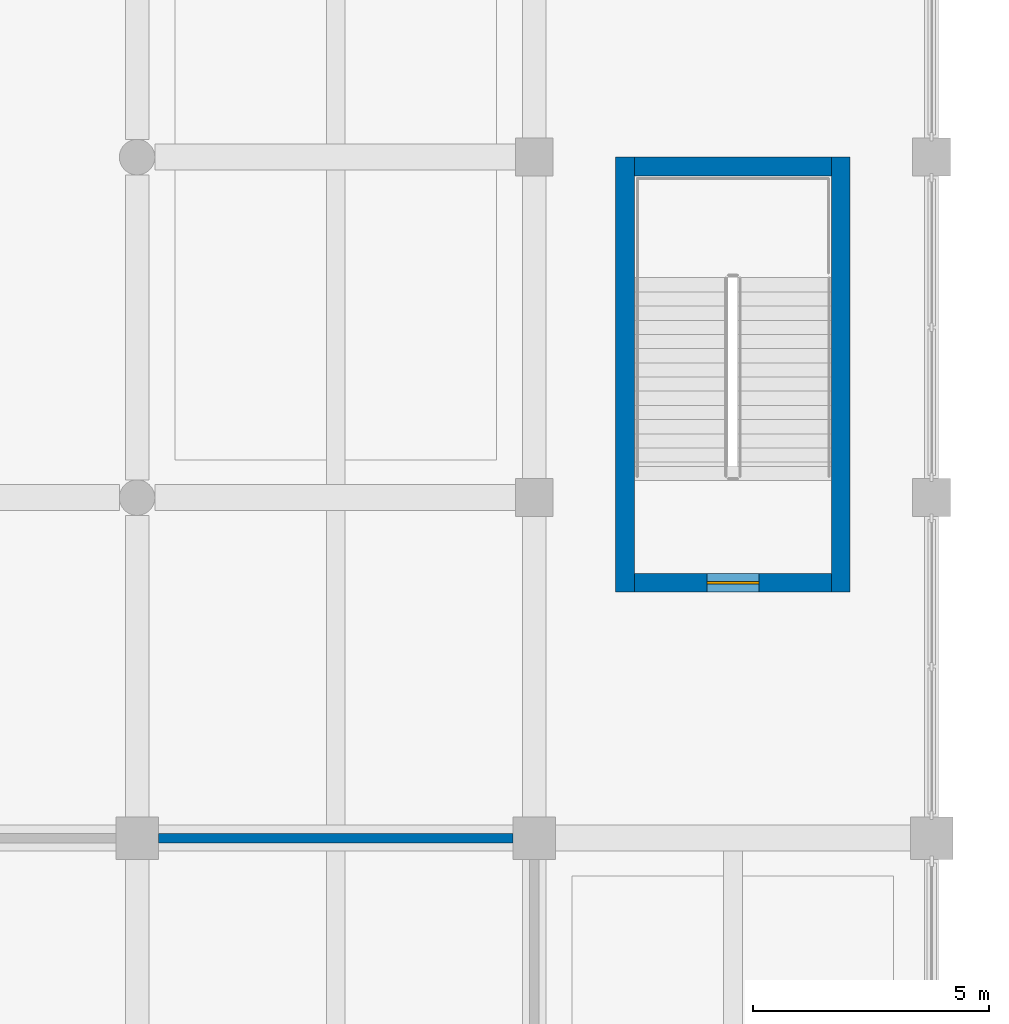
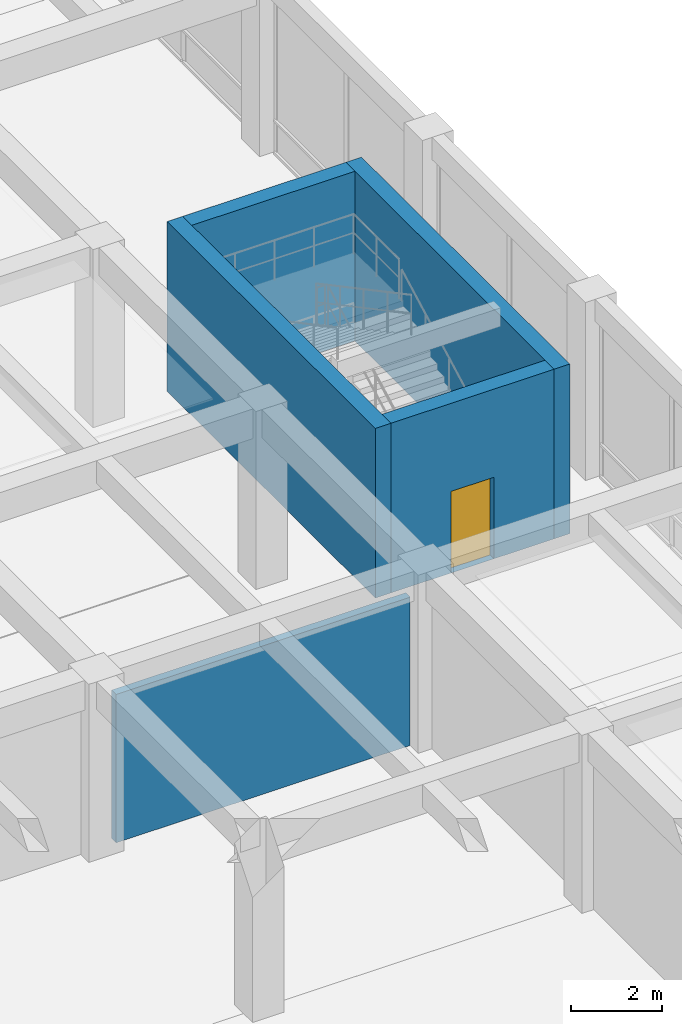
# One storey, part 28 of 49: 5 walls, 1 door, 1 opening.
"""IFC4 building model written with IfcOpenShell, lengths in metres."""

from ifc_helpers import new_model, si_unit, direction, frame, frame_2d, origin, place, context, subcontext, project, spatial, rectangle, extrude, material, layer, layer_set, type_object, element, fill, save


model = new_model("IFC4")

# Units and contexts
model_context = context("Model", 3, precision=1e-05, world=origin(), true_north=direction((0.0, 1.0)))
body_context = subcontext(model_context, "Body", "Model", "MODEL_VIEW")
ifc_project = project(units=[si_unit("LENGTHUNIT", "METRE"), si_unit("AREAUNIT", "SQUARE_METRE"), si_unit("VOLUMEUNIT", "CUBIC_METRE"), si_unit("PLANEANGLEUNIT", "RADIAN"), si_unit("MASSUNIT", "GRAM", prefix="KILO")], contexts=[model_context])

# Site, building, storey
site_placement = place(None, origin())
site = spatial("IfcSite", under=ifc_project, at=site_placement, CompositionType="ELEMENT")
building_placement = place(site_placement, origin())
building = spatial("IfcBuilding", under=site, at=building_placement, Name="Kenerak Square Central Library", CompositionType="ELEMENT")
storey_placement = place(building_placement, origin())
storey = spatial("IfcBuildingStorey", under=building, at=storey_placement, Name="L00", CompositionType="ELEMENT", Elevation=0.0)

# Walls
ifc_material_1 = material(Name="Concrete C40/50", Category="concrete")
ifc_layer_1 = layer(ifc_material_1, 0.39990234375)
ifc_layer_set_1 = layer_set([ifc_layer_1], Name="Concrete C40/50")
wall_type_1 = type_object("IfcWallType", Name="Core Shear Wall CW-400 C40/50", PredefinedType="SHEAR", material=ifc_layer_set_1)
for number, where, z_axis, x_axis, name in (
    (1, (110.719970703125, 58.0, 0.0), (0.0, 0.0, 1.0), (0.0, 1.0, 0.0), "Core Wall CW-C9 L00 West"),
    (2, (115.280029296875, 67.199951171875, 0.0), (0.0, 0.0, 1.0), (0.0, -1.0, 0.0), "Core Wall CW-C9 L00 East"),
):
    element("IfcWall", number, at=place(storey_placement, frame(where, z_axis=z_axis, x_axis=x_axis)), inside=storey, type_object=wall_type_1, Name=name, PredefinedType="SHEAR", context=body_context, shape_type="SweptSolid", body=[
        extrude(rectangle(XDim=9.199951171875, YDim=0.39990234375, at=frame_2d((4.60009765625, 0.0))), origin(), (0.0, 0.0, 1.0), 4.574951171875),
    ])

# Wall, opening, door
wall_1_placement = place(storey_placement, frame((115.080078125, 58.199951171875, 0.0), z_axis=(0.0, 0.0, 1.0), x_axis=(-1.0, 0.0, 0.0)))
wall_1 = element("IfcWall", 3, at=wall_1_placement, inside=storey, type_object=wall_type_1, Name="Core Wall CW-C9 L00 South", PredefinedType="SHEAR", context=body_context, shape_type="SweptSolid", body=[
    extrude(rectangle(XDim=4.16015625, YDim=0.39990234375, at=frame_2d((2.080078125, 0.0))), origin(), (0.0, 0.0, 1.0), 4.574951171875),
])
opening_placement = place(wall_1_placement, frame((1.530029296875, 0.0, 0.0)))
opening = element("IfcOpeningElement", 4, at=opening_placement, cuts=wall_1, Name="Opening D-ST1", PredefinedType="OPENING", context=body_context, shape_type="SweptSolid", body=[
    extrude(rectangle(XDim=1.10009765625, YDim=2.199951171875, at=frame_2d((0.550048828125, 1.10009765625))), frame((0.0, 0.2099609375, 0.0), z_axis=(0.0, -1.0, 0.0), x_axis=(1.0, 0.0, 0.0)), (0.0, 0.0, 1.0), 0.419921875),
])
ifc_material_2 = material(Name="Steel S355", Category="steel")
door_type = type_object("IfcDoorType", Name="Protected Stair Fire Door FD-1100x2200 FD60S", OperationType="NOTDEFINED", PredefinedType="DOOR", material=ifc_material_2)
door_placement = place(opening_placement, frame((1.10009765625, 0.0, 0.0), z_axis=(0.0, 0.0, 1.0), x_axis=(-1.0, 0.0, 0.0)))
door = element("IfcDoor", 5, at=door_placement, inside=storey, type_object=door_type, Name="Stair Door ST-09 L00", OperationType="SINGLE_SWING_LEFT", OverallHeight=2.199951171875, OverallWidth=1.10009765625, PredefinedType="DOOR", context=body_context, shape_type="SweptSolid", body=[
    extrude(rectangle(XDim=1.10009765625, YDim=2.199951171875, at=frame_2d((0.550048828125, 1.10009765625))), frame((0.0, 0.02490234375, 0.0), z_axis=(0.0, -1.0, 0.0), x_axis=(1.0, 0.0, 0.0)), (0.0, 0.0, 1.0), 0.050048828125),
])
fill(opening, door)

# Walls
wall_2_placement = place(storey_placement, frame((110.919921875, 67.0, 0.0), z_axis=(0.0, 0.0, 1.0), x_axis=(1.0, 0.0, 0.0)))
element("IfcWall", 6, at=wall_2_placement, inside=storey, type_object=wall_type_1, Name="Core Wall CW-C9 L00 North", PredefinedType="SHEAR", context=body_context, shape_type="SweptSolid", body=[
    extrude(rectangle(XDim=4.16015625, YDim=0.39990234375, at=frame_2d((2.080078125, 0.0))), origin(), (0.0, 0.0, 1.0), 4.574951171875),
])
ifc_material_3 = material(Name="Precast concrete C40/50", Category="concrete")
ifc_layer_2 = layer(ifc_material_3, 0.199951171875)
ifc_layer_set_2 = layer_set([ifc_layer_2], Name="Precast concrete C40/50")
wall_type_2 = type_object("IfcWallType", Name="Protected Corridor Fire Wall IW-200 C40/50", PredefinedType="PARTITIONING", material=ifc_layer_set_2)
wall_3_placement = place(storey_placement, frame((100.85009765625, 52.800048828125, 0.0), z_axis=(0.0, 0.0, 1.0), x_axis=(1.0, 0.0, 0.0)))
element("IfcWall", 7, at=wall_3_placement, inside=storey, type_object=wall_type_2, Name="Interior Wall IW-L00-03-N1-B2", PredefinedType="PARTITIONING", context=body_context, shape_type="SweptSolid", body=[
    extrude(rectangle(XDim=7.5, YDim=0.199951171875, at=frame_2d((3.75, 0.0))), origin(), (0.0, 0.0, 1.0), 4.0),
])

save(model, "model.ifc")
